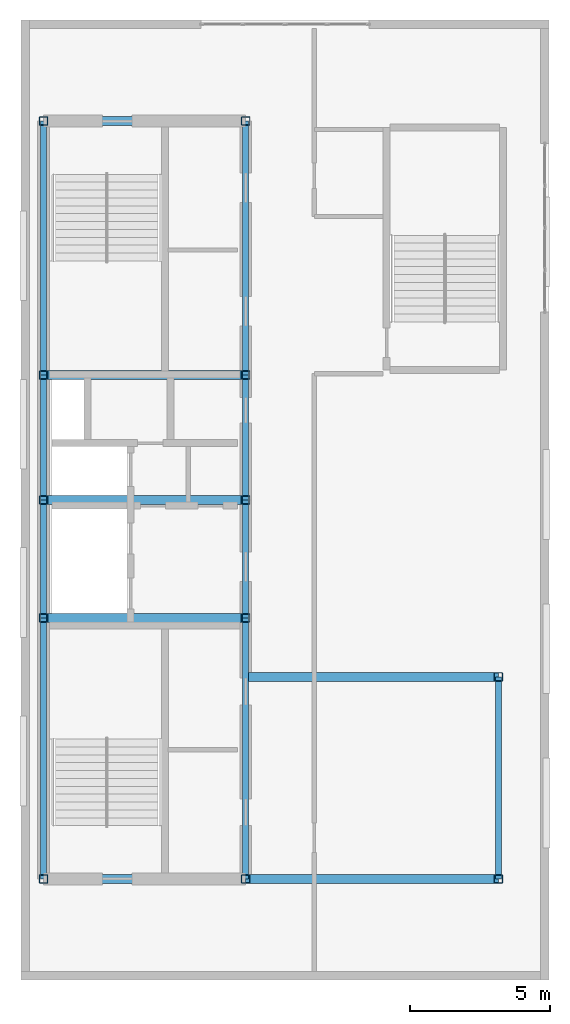
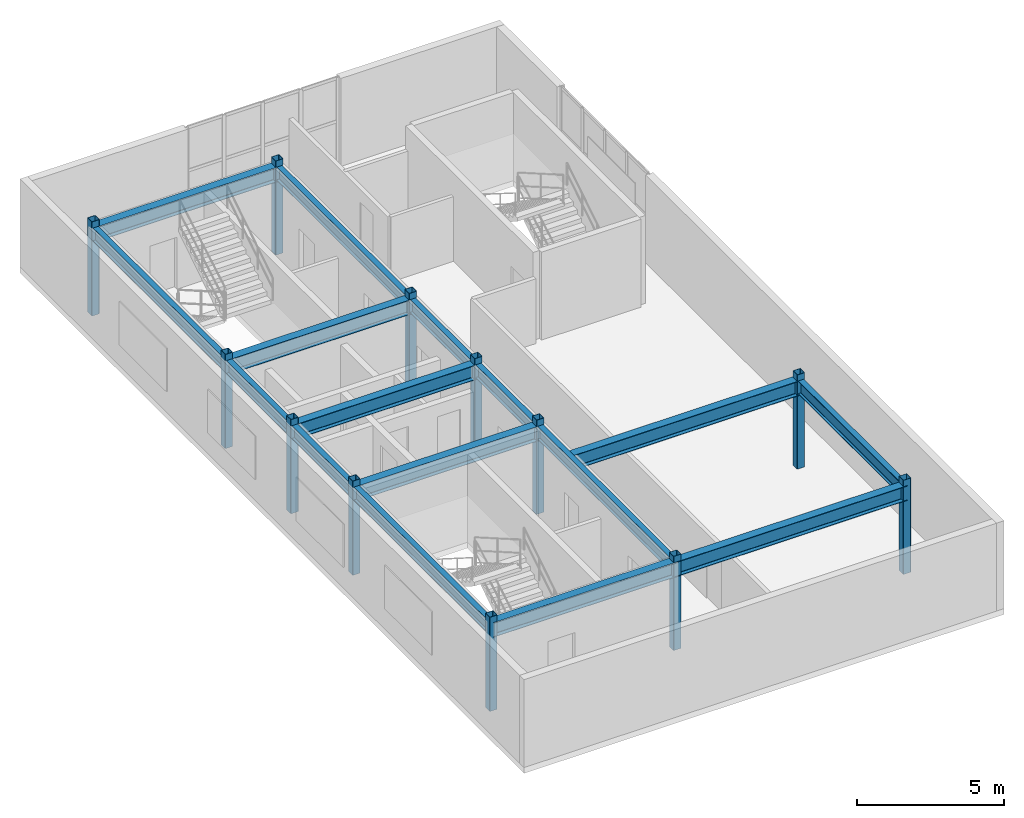
# One storey, part 1 of 6: 16 beams, 12 columns.
"""IFC4 building model written with IfcOpenShell, lengths in metres."""

import ifcopenshell
import ifcopenshell.guid

model = None  # the IFC model being written
_history = None  # IfcOwnerHistory: only IFC2X3 demands one
_inside = {}  # id of a spatial element -> (the spatial element, [elements in it])
_under = {}  # id of a project, library or spatial element -> (it, [spatial elements below it])
_declared = {}  # id of a project -> (the project, [libraries it declares])
_typed = {}  # id of a type object -> (the type object, [elements of that type])
_made_of = {}  # id of a material, layer set ... -> (it, [elements and type objects made of it])


def new_model(schema):
    """Start an empty IFC model of exactly this schema.

    Asked for "IFC4X3", IfcOpenShell would pick the latest addendum, in which some entities
    have other attributes; the version numbers below select the first issue.
    IFC2X3 requires an IfcOwnerHistory on every rooted entity: one is made here for all.
    """
    global model, _history
    if schema == "IFC4X3":
        model = ifcopenshell.file(schema_version=(4, 3, 0, 0))
    else:
        model = ifcopenshell.file(schema=schema)
    _inside.clear()
    _under.clear()
    _declared.clear()
    _typed.clear()
    _made_of.clear()
    _history = None
    if model.schema == "IFC2X3":
        org = make("IfcOrganization", Name="unknown")
        user = make(
            "IfcPersonAndOrganization",
            ThePerson=make("IfcPerson", FamilyName="unknown"),
            TheOrganization=org,
        )
        app = make(
            "IfcApplication",
            ApplicationDeveloper=org,
            Version="unknown",
            ApplicationFullName="unknown",
            ApplicationIdentifier="unknown",
        )
        _history = make(
            "IfcOwnerHistory",
            OwningUser=user,
            OwningApplication=app,
            ChangeAction="ADDED",
            CreationDate=0,
        )
    return model


def make(cls, **values):
    """One entity of the class cls with the attributes given. An attribute that is None is left unset."""
    return model.create_entity(
        cls, **{name: value for name, value in values.items() if value is not None}
    )


def entity(cls, *values):
    """Any entity or typed value of the class cls, its attributes in the order of the schema. None: left unset."""
    e = model.create_entity(cls)
    for i, value in enumerate(values):
        if value is not None:
            e[i] = value
    return e


def rooted(cls, **values):
    """An entity with a GlobalId (a new one), such as an element, a storey or a relation."""
    return make(cls, GlobalId=ifcopenshell.guid.new(), OwnerHistory=_history, **values)


def si_unit(unit_type, name, prefix=None):
    """IfcSIUnit, for example si_unit("LENGTHUNIT", "METRE", prefix="MILLI")."""
    return make("IfcSIUnit", UnitType=unit_type, Prefix=prefix, Name=name)


def converted_unit(unit_type, name, factor, base, dimensions=None, offset=None):
    """IfcConversionBasedUnit, such as the inch: factor (a typed value) times the base unit."""
    return make(
        "IfcConversionBasedUnit"
        if offset is None
        else "IfcConversionBasedUnitWithOffset",
        ConversionOffset=offset,
        Dimensions=None
        if dimensions is None
        else entity("IfcDimensionalExponents", *dimensions),
        UnitType=unit_type,
        Name=name,
        ConversionFactor=make(
            "IfcMeasureWithUnit", ValueComponent=factor, UnitComponent=base
        ),
    )


def assignment(units):
    """IfcUnitAssignment: the units of a project."""
    return None if units is None else make("IfcUnitAssignment", Units=units)


def point(xyz):
    """IfcCartesianPoint."""
    return None if xyz is None else make("IfcCartesianPoint", Coordinates=xyz)


def direction(xyz):
    """IfcDirection."""
    return None if xyz is None else make("IfcDirection", DirectionRatios=xyz)


def frame(location, z_axis=None, x_axis=None):
    """IfcAxis2Placement3D, a coordinate frame: its origin and axes. An axis left out is left unset."""
    return make(
        "IfcAxis2Placement3D",
        Location=point(location),
        Axis=direction(z_axis),
        RefDirection=direction(x_axis),
    )


def frame_2d(location, x_axis=None):
    """IfcAxis2Placement2D, a coordinate frame in the plane: its origin and x axis."""
    return make(
        "IfcAxis2Placement2D", Location=point(location), RefDirection=direction(x_axis)
    )


def origin_with_axes():
    """The frame at (0, 0, 0) with the z axis (0, 0, 1) and the x axis (1, 0, 0) written out."""
    return frame((0.0, 0.0, 0.0), z_axis=(0.0, 0.0, 1.0), x_axis=(1.0, 0.0, 0.0))


def origin_2d_with_axis():
    """The frame at (0, 0) in the plane with the x axis (1, 0) written out."""
    return frame_2d((0.0, 0.0), x_axis=(1.0, 0.0))


def place(relative_to, where):
    """IfcLocalPlacement: puts the frame where relative to a parent placement (None: the world)."""
    return make(
        "IfcLocalPlacement", PlacementRelTo=relative_to, RelativePlacement=where
    )


def context(
    kind, dimensions, precision=None, world=None, true_north=None, identifier=None
):
    """IfcGeometricRepresentationContext, for example the 3D "Model" context."""
    return make(
        "IfcGeometricRepresentationContext",
        ContextIdentifier=identifier,
        ContextType=kind,
        CoordinateSpaceDimension=dimensions,
        Precision=precision,
        WorldCoordinateSystem=world,
        TrueNorth=true_north,
    )


def subcontext(parent, identifier, kind, view, scale=None):
    """IfcGeometricRepresentationSubContext, for example "Body" below "Model"."""
    return make(
        "IfcGeometricRepresentationSubContext",
        ContextIdentifier=identifier,
        ContextType=kind,
        ParentContext=parent,
        TargetScale=scale,
        TargetView=view,
    )


def project(units=None, contexts=None):
    """IfcProject with its units and contexts."""
    return rooted(
        "IfcProject",
        Name="project",
        RepresentationContexts=contexts,
        UnitsInContext=assignment(units),
    )


def spatial(cls, under=None, at=None, **own):
    """A site, building, storey or space (cls), placed at a placement, below another one or the project."""
    s = rooted(cls, ObjectPlacement=at, **own)
    if under is not None:
        _under.setdefault(under.id(), (under, []))[1].append(s)
    return s


def profile(cls, at=None, kind="AREA", **sizes):
    """A parametric profile (cls). Its sizes go by their IFC names, for example OverallWidth=200.0."""
    return make(cls, ProfileType=kind, Position=at, **sizes)


def hollow_rectangle(**sizes):
    """IfcRectangleHollowProfileDef."""
    return profile("IfcRectangleHollowProfileDef", **sizes)


def i_section(**sizes):
    """IfcIShapeProfileDef."""
    return profile("IfcIShapeProfileDef", **sizes)


def extrude(swept, where, along, depth):
    """IfcExtrudedAreaSolid: the profile swept, set in the frame where, extruded along a direction by depth."""
    return make(
        "IfcExtrudedAreaSolid",
        SweptArea=swept,
        Position=where,
        ExtrudedDirection=direction(along),
        Depth=depth,
    )


def shape(context_of_items, identifier, shape_type, items):
    """IfcShapeRepresentation: the items that make up one representation, for example the "Body"."""
    return make(
        "IfcShapeRepresentation",
        ContextOfItems=context_of_items,
        RepresentationIdentifier=identifier,
        RepresentationType=shape_type,
        Items=items,
    )


def material(Name=None, Category=None):
    """IfcMaterial."""
    return make("IfcMaterial", Name=Name, Category=Category)


def material_profile(
    of_material, cross_section, Name=None, Category=None, Priority=None
):
    """IfcMaterialProfile: a cross section and its material."""
    return make(
        "IfcMaterialProfile",
        Name=Name,
        Material=of_material,
        Profile=cross_section,
        Priority=Priority,
        Category=Category,
    )


def profile_set(profiles, Name=None, composite=None):
    """IfcMaterialProfileSet."""
    return make(
        "IfcMaterialProfileSet",
        Name=Name,
        MaterialProfiles=profiles,
        CompositeProfile=composite,
    )


def made_of(thing, what):
    """Note that an element or type object is made of a material, layer set ...; save() writes the relation."""
    if what is not None:
        _made_of.setdefault(what.id(), (what, []))[1].append(thing)
    return thing


def type_object(cls, material=None, **own):
    """A type object (cls), such as IfcWallType, which elements share."""
    return made_of(rooted(cls, **own), material)


def element(
    cls,
    number,
    at=None,
    inside=None,
    cuts=None,
    type_object=None,
    material=None,
    context=None,
    identifier="Body",
    shape_type=None,
    held_by="IfcProductDefinitionShape",
    body=None,
    shapes=None,
    **own,
):
    """One element of the class cls, such as IfcWall. Its Tag is "e" and its number.

    at: its placement. inside: the storey or other place that contains it. cuts: it is an
    opening in that element (IfcRelVoidsElement). A single representation is given by context,
    identifier, shape_type and body (its items); several are given by shapes. held_by: the class
    of the entity that holds the representations. save() writes the other relations.
    """
    e = rooted(cls, Tag="e%d" % number, ObjectPlacement=at, **own)
    if body is not None:
        shapes = [shape(context, identifier, shape_type, body)]
    if shapes is not None:
        e.Representation = make(held_by, Representations=shapes)
    if inside is not None:
        _inside.setdefault(inside.id(), (inside, []))[1].append(e)
    if cuts is not None:
        rooted(
            "IfcRelVoidsElement", RelatingBuildingElement=cuts, RelatedOpeningElement=e
        )
    if type_object is not None:
        _typed.setdefault(type_object.id(), (type_object, []))[1].append(e)
    return made_of(e, material)


def aggregate(whole, parts):
    """IfcRelAggregates: a whole, such as a stair, and the parts it consists of."""
    return rooted("IfcRelAggregates", RelatingObject=whole, RelatedObjects=parts)


def save(model, path):
    """Write the relations noted so far, then the file.

    IfcRelAggregates (storeys below a building ...), IfcRelContainedInSpatialStructure (elements
    in a storey), IfcRelDefinesByType, IfcRelAssociatesMaterial and IfcRelDeclares: one each for
    every whole, place, type object, material and project.
    """
    for whole, parts in _under.values():
        aggregate(whole, parts)
    for where, things in _inside.values():
        rooted(
            "IfcRelContainedInSpatialStructure",
            RelatedElements=things,
            RelatingStructure=where,
        )
    for kind, things in _typed.values():
        rooted("IfcRelDefinesByType", RelatedObjects=things, RelatingType=kind)
    for what, things in _made_of.values():
        rooted("IfcRelAssociatesMaterial", RelatedObjects=things, RelatingMaterial=what)
    for by, libraries in _declared.values():
        rooted("IfcRelDeclares", RelatingContext=by, RelatedDefinitions=libraries)
    model.write(path)


model = new_model("IFC4")

# Units and contexts
model_context = context("Model", 3, precision=1e-05, world=origin_with_axes(), true_north=direction((0.0, 1.0)))
body_context = subcontext(model_context, "Body", "Model", "MODEL_VIEW")
ifc_project = project(units=[si_unit("LENGTHUNIT", "METRE"), si_unit("AREAUNIT", "SQUARE_METRE"), si_unit("VOLUMEUNIT", "CUBIC_METRE"), converted_unit("PLANEANGLEUNIT", "DEGREE", entity("IfcPlaneAngleMeasure", 0.017453292519943295), si_unit("PLANEANGLEUNIT", "RADIAN"), dimensions=[0, 0, 0, 0, 0, 0, 0]), si_unit("MASSUNIT", "GRAM", prefix="KILO"), si_unit("THERMODYNAMICTEMPERATUREUNIT", "KELVIN")], contexts=[model_context])

# Site, building, storey
site_placement = place(None, origin_with_axes())
site = spatial("IfcSite", under=ifc_project, at=site_placement, CompositionType="ELEMENT")
building_placement = place(site_placement, origin_with_axes())
building = spatial("IfcBuilding", under=site, at=building_placement, Name="Varnlund Millrace Tower", CompositionType="ELEMENT")
storey_placement = place(building_placement, frame((0.0, 0.0, 328.2), z_axis=(0.0, 0.0, 1.0), x_axis=(1.0, 0.0, 0.0)))
storey = spatial("IfcBuildingStorey", under=building, at=storey_placement, Name="L81", CompositionType="ELEMENT", Elevation=328.2)

# Columns
ifc_material_1 = material(Name="Steel ASTM A500 Grade C", Category="steel")
ifc_material_profile_1 = material_profile(ifc_material_1, hollow_rectangle(XDim=0.305, YDim=0.305, WallThickness=0.0147, InnerFilletRadius=0.015, OuterFilletRadius=0.03, at=origin_2d_with_axis()), Name="Steel ASTM A500 Grade C")
ifc_profile_set_1 = profile_set([ifc_material_profile_1], Name="Steel ASTM A500 Grade C")
column_type = type_object("IfcColumnType", Name="Type-Col-Crn-HSS12", PredefinedType="COLUMN", material=ifc_profile_set_1)
for number, where, z_axis, x_axis, name in (
    (1, (11.4, 10.8, 0.0), (0.0, 0.0, 1.0), (1.0, 0.0, 0.0), "Type-Col-Crn-HSS12"),
    (2, (11.4, 20.1, 0.0), (0.0, 0.0, 1.0), (1.0, 0.0, 0.0), "Type-Col-Crn-HSS12"),
    (3, (11.4, 24.3, 0.0), (0.0, 0.0, 1.0), (1.0, 0.0, 0.0), "Type-Col-Crn-HSS12"),
    (4, (11.4, 28.75, 0.0), (0.0, 0.0, 1.0), (1.0, 0.0, 0.0), "Type-Col-Crn-HSS12"),
    (5, (11.4, 37.8, 0.0), (0.0, 0.0, 1.0), (1.0, 0.0, 0.0), "Type-Col-Crn-HSS12"),
    (6, (18.6, 10.8, 0.0), (0.0, 0.0, 1.0), (1.0, 0.0, 0.0), "Type-Col-Crn-HSS12"),
    (7, (18.6, 20.1, 0.0), (0.0, 0.0, 1.0), (1.0, 0.0, 0.0), "Type-Col-Crn-HSS12"),
    (8, (18.6, 24.3, 0.0), (0.0, 0.0, 1.0), (1.0, 0.0, 0.0), "Type-Col-Crn-HSS12"),
    (9, (18.6, 28.75, 0.0), (0.0, 0.0, 1.0), (1.0, 0.0, 0.0), "Type-Col-Crn-HSS12"),
    (10, (18.6, 37.8, 0.0), (0.0, 0.0, 1.0), (1.0, 0.0, 0.0), "Type-Col-Crn-HSS12"),
    (11, (27.6, 10.8, 0.0), (0.0, 0.0, 1.0), (1.0, 0.0, 0.0), "Type-Col-Crn-HSS12"),
    (12, (27.6, 18.0, 0.0), (0.0, 0.0, 1.0), (1.0, 0.0, 0.0), "Type-Col-Crn-HSS12"),
):
    element("IfcColumn", number, at=place(storey_placement, frame(where, z_axis=z_axis, x_axis=x_axis)), inside=storey, type_object=column_type, Name=name, PredefinedType="COLUMN", context=body_context, shape_type="SweptSolid", body=[
        extrude(hollow_rectangle(XDim=0.305, YDim=0.305, WallThickness=0.0147, InnerFilletRadius=0.015, OuterFilletRadius=0.03, at=origin_2d_with_axis()), origin_with_axes(), (0.0, 0.0, 1.0), 3.9),
    ])

# Beams
ifc_material_2 = material(Name="Steel ASTM A992 Grade 50", Category="steel")
ifc_material_profile_2 = material_profile(ifc_material_2, i_section(OverallWidth=0.214, OverallDepth=0.549, WebThickness=0.0147, FlangeThickness=0.0236, FilletRadius=0.015, at=origin_2d_with_axis()), Name="Steel ASTM A992 Grade 50")
ifc_profile_set_2 = profile_set([ifc_material_profile_2], Name="Steel ASTM A992 Grade 50")
beam_type_1 = type_object("IfcBeamType", Name="Type-Beam-W21X93", PredefinedType="BEAM", material=ifc_profile_set_2)
beam_1_placement = place(storey_placement, frame((11.4, 10.8, 3.3655), z_axis=(0.0, 1.0, 0.0), x_axis=(-1.0, 0.0, 0.0)))
element("IfcBeam", 13, at=beam_1_placement, inside=storey, type_object=beam_type_1, Name="Type-Beam-W21X93", PredefinedType="BEAM", context=body_context, shape_type="SweptSolid", body=[
    extrude(i_section(OverallWidth=0.214, OverallDepth=0.549, WebThickness=0.0147, FlangeThickness=0.0236, FilletRadius=0.015, at=origin_2d_with_axis()), origin_with_axes(), (0.0, 0.0, 1.0), 9.3),
])
beam_2_placement = place(storey_placement, frame((11.4, 20.1, 3.3655), z_axis=(0.0, 1.0, 0.0), x_axis=(-1.0, 0.0, 0.0)))
element("IfcBeam", 14, at=beam_2_placement, inside=storey, type_object=beam_type_1, Name="Type-Beam-W21X93", PredefinedType="BEAM", context=body_context, shape_type="SweptSolid", body=[
    extrude(i_section(OverallWidth=0.214, OverallDepth=0.549, WebThickness=0.0147, FlangeThickness=0.0236, FilletRadius=0.015, at=origin_2d_with_axis()), origin_with_axes(), (0.0, 0.0, 1.0), 4.2),
])
beam_3_placement = place(storey_placement, frame((11.4, 24.3, 3.3655), z_axis=(0.0, 1.0, 0.0), x_axis=(-1.0, 0.0, 0.0)))
element("IfcBeam", 15, at=beam_3_placement, inside=storey, type_object=beam_type_1, Name="Type-Beam-W21X93", PredefinedType="BEAM", context=body_context, shape_type="SweptSolid", body=[
    extrude(i_section(OverallWidth=0.214, OverallDepth=0.549, WebThickness=0.0147, FlangeThickness=0.0236, FilletRadius=0.015, at=origin_2d_with_axis()), origin_with_axes(), (0.0, 0.0, 1.0), 4.45),
])
beam_4_placement = place(storey_placement, frame((11.4, 28.75, 3.3655), z_axis=(0.0, 1.0, 0.0), x_axis=(-1.0, 0.0, 0.0)))
element("IfcBeam", 16, at=beam_4_placement, inside=storey, type_object=beam_type_1, Name="Type-Beam-W21X93", PredefinedType="BEAM", context=body_context, shape_type="SweptSolid", body=[
    extrude(i_section(OverallWidth=0.214, OverallDepth=0.549, WebThickness=0.0147, FlangeThickness=0.0236, FilletRadius=0.015, at=origin_2d_with_axis()), origin_with_axes(), (0.0, 0.0, 1.0), 9.05),
])
beam_5_placement = place(storey_placement, frame((18.6, 10.8, 3.3655), z_axis=(0.0, 1.0, 0.0), x_axis=(-1.0, 0.0, 0.0)))
element("IfcBeam", 17, at=beam_5_placement, inside=storey, type_object=beam_type_1, Name="Type-Beam-W21X93", PredefinedType="BEAM", context=body_context, shape_type="SweptSolid", body=[
    extrude(i_section(OverallWidth=0.214, OverallDepth=0.549, WebThickness=0.0147, FlangeThickness=0.0236, FilletRadius=0.015, at=origin_2d_with_axis()), origin_with_axes(), (0.0, 0.0, 1.0), 9.3),
])
beam_6_placement = place(storey_placement, frame((18.6, 20.1, 3.3655), z_axis=(0.0, 1.0, 0.0), x_axis=(-1.0, 0.0, 0.0)))
element("IfcBeam", 18, at=beam_6_placement, inside=storey, type_object=beam_type_1, Name="Type-Beam-W21X93", PredefinedType="BEAM", context=body_context, shape_type="SweptSolid", body=[
    extrude(i_section(OverallWidth=0.214, OverallDepth=0.549, WebThickness=0.0147, FlangeThickness=0.0236, FilletRadius=0.015, at=origin_2d_with_axis()), origin_with_axes(), (0.0, 0.0, 1.0), 4.2),
])
beam_7_placement = place(storey_placement, frame((18.6, 24.3, 3.3655), z_axis=(0.0, 1.0, 0.0), x_axis=(-1.0, 0.0, 0.0)))
element("IfcBeam", 19, at=beam_7_placement, inside=storey, type_object=beam_type_1, Name="Type-Beam-W21X93", PredefinedType="BEAM", context=body_context, shape_type="SweptSolid", body=[
    extrude(i_section(OverallWidth=0.214, OverallDepth=0.549, WebThickness=0.0147, FlangeThickness=0.0236, FilletRadius=0.015, at=origin_2d_with_axis()), origin_with_axes(), (0.0, 0.0, 1.0), 4.45),
])
beam_8_placement = place(storey_placement, frame((18.6, 28.75, 3.3655), z_axis=(0.0, 1.0, 0.0), x_axis=(-1.0, 0.0, 0.0)))
element("IfcBeam", 20, at=beam_8_placement, inside=storey, type_object=beam_type_1, Name="Type-Beam-W21X93", PredefinedType="BEAM", context=body_context, shape_type="SweptSolid", body=[
    extrude(i_section(OverallWidth=0.214, OverallDepth=0.549, WebThickness=0.0147, FlangeThickness=0.0236, FilletRadius=0.015, at=origin_2d_with_axis()), origin_with_axes(), (0.0, 0.0, 1.0), 9.05),
])
beam_9_placement = place(storey_placement, frame((27.6, 10.8, 3.3655), z_axis=(0.0, 1.0, 0.0), x_axis=(-1.0, 0.0, 0.0)))
element("IfcBeam", 21, at=beam_9_placement, inside=storey, type_object=beam_type_1, Name="Type-Beam-W21X93", PredefinedType="BEAM", context=body_context, shape_type="SweptSolid", body=[
    extrude(i_section(OverallWidth=0.214, OverallDepth=0.549, WebThickness=0.0147, FlangeThickness=0.0236, FilletRadius=0.015, at=origin_2d_with_axis()), origin_with_axes(), (0.0, 0.0, 1.0), 7.2),
])
ifc_material_profile_3 = material_profile(ifc_material_2, i_section(OverallWidth=0.324, OverallDepth=0.611, WebThickness=0.0127, FlangeThickness=0.0191, FilletRadius=0.016, at=origin_2d_with_axis()), Name="Steel ASTM A992 Grade 50")
ifc_profile_set_3 = profile_set([ifc_material_profile_3], Name="Steel ASTM A992 Grade 50")
beam_type_2 = type_object("IfcBeamType", Name="Type-Girder-W24X104", PredefinedType="USERDEFINED", material=ifc_profile_set_3)
beam_10_placement = place(storey_placement, frame((11.4, 10.8, 3.3345), z_axis=(1.0, 0.0, 0.0), x_axis=(0.0, 1.0, 0.0)))
element("IfcBeam", 22, at=beam_10_placement, inside=storey, type_object=beam_type_2, Name="Type-Girder-W24X104", ObjectType="GIRDER", PredefinedType="USERDEFINED", context=body_context, shape_type="SweptSolid", body=[
    extrude(i_section(OverallWidth=0.324, OverallDepth=0.611, WebThickness=0.0127, FlangeThickness=0.0191, FilletRadius=0.016, at=origin_2d_with_axis()), origin_with_axes(), (0.0, 0.0, 1.0), 7.2),
])
for number, where, z_axis, x_axis, name in (
    (23, (18.6, 10.8, 3.3345), (1.0, 0.0, 0.0), (0.0, 1.0, 0.0), "Type-Girder-W24X104"),
    (24, (18.6, 18.0, 3.3345), (1.0, 0.0, 0.0), (0.0, 1.0, 0.0), "Type-Girder-W24X104"),
):
    element("IfcBeam", number, at=place(storey_placement, frame(where, z_axis=z_axis, x_axis=x_axis)), inside=storey, type_object=beam_type_2, Name=name, ObjectType="GIRDER", PredefinedType="USERDEFINED", context=body_context, shape_type="SweptSolid", body=[
        extrude(i_section(OverallWidth=0.324, OverallDepth=0.611, WebThickness=0.0127, FlangeThickness=0.0191, FilletRadius=0.016, at=origin_2d_with_axis()), origin_with_axes(), (0.0, 0.0, 1.0), 9.0),
    ])
for number, where, z_axis, x_axis, name in (
    (25, (11.4, 20.1, 3.3345), (1.0, 0.0, 0.0), (0.0, 1.0, 0.0), "Type-Girder-W24X104"),
    (26, (11.4, 24.3, 3.3345), (1.0, 0.0, 0.0), (0.0, 1.0, 0.0), "Type-Girder-W24X104"),
    (27, (11.4, 28.75, 3.3345), (1.0, 0.0, 0.0), (0.0, 1.0, 0.0), "Type-Girder-W24X104"),
    (28, (11.4, 37.8, 3.3345), (1.0, 0.0, 0.0), (0.0, 1.0, 0.0), "Type-Girder-W24X104"),
):
    element("IfcBeam", number, at=place(storey_placement, frame(where, z_axis=z_axis, x_axis=x_axis)), inside=storey, type_object=beam_type_2, Name=name, ObjectType="GIRDER", PredefinedType="USERDEFINED", context=body_context, shape_type="SweptSolid", body=[
        extrude(i_section(OverallWidth=0.324, OverallDepth=0.611, WebThickness=0.0127, FlangeThickness=0.0191, FilletRadius=0.016, at=origin_2d_with_axis()), origin_with_axes(), (0.0, 0.0, 1.0), 7.2),
    ])

save(model, "model.ifc")
